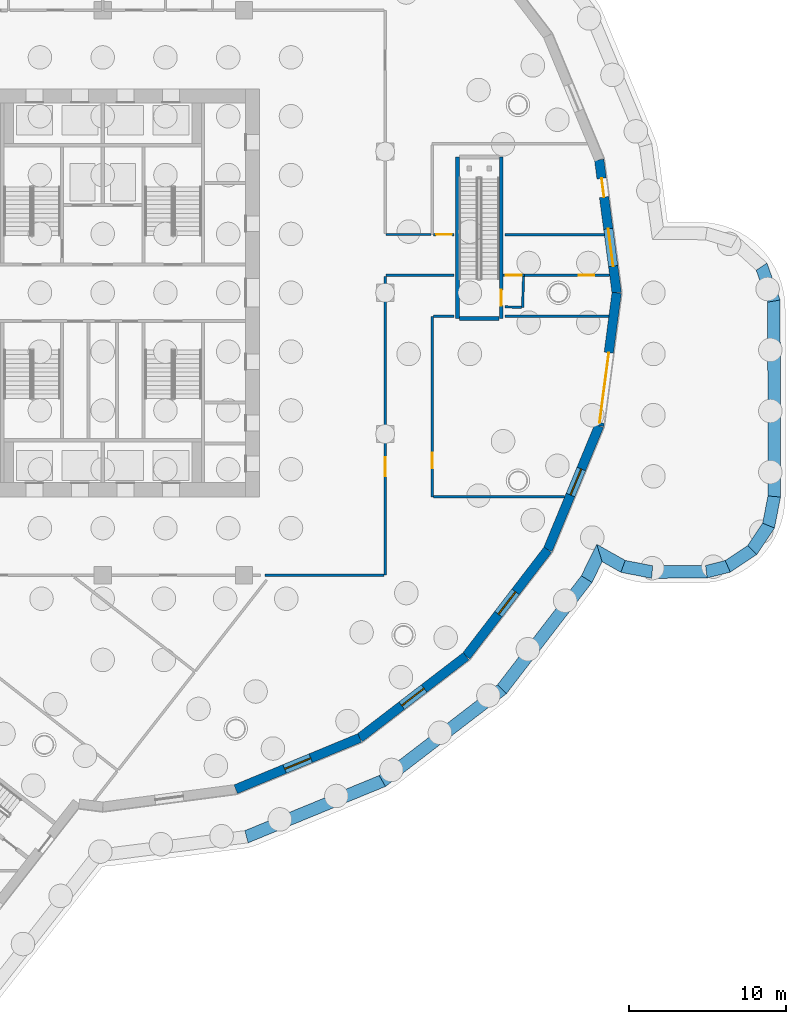
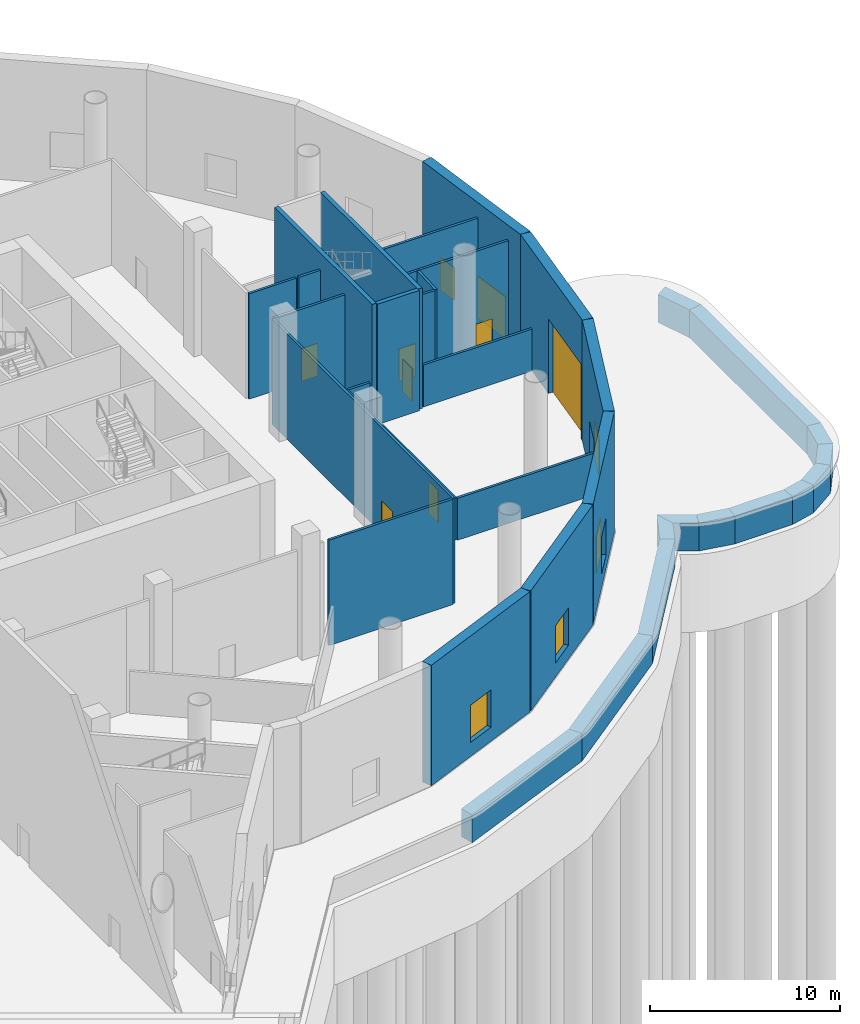
# One storey, part 14 of 34: 36 walls, 9 doors, 4 windows, 13 openings.
"""IFC4 building model written with IfcOpenShell, lengths in metres."""

from ifc_helpers import new_model, si_unit, direction, frame, frame_2d, origin, place, context, subcontext, project, spatial, polyline, rectangle, outline, extrude, material, layer, layer_set, type_object, element, fill, save


model = new_model("IFC4")

# Units and contexts
model_context = context("Model", 3, precision=1e-05, world=origin(), true_north=direction((0.0, 1.0)))
body_context = subcontext(model_context, "Body", "Model", "MODEL_VIEW")
ifc_project = project(units=[si_unit("LENGTHUNIT", "METRE"), si_unit("AREAUNIT", "SQUARE_METRE"), si_unit("VOLUMEUNIT", "CUBIC_METRE"), si_unit("PLANEANGLEUNIT", "RADIAN"), si_unit("MASSUNIT", "GRAM", prefix="KILO")], contexts=[model_context])

# Site, building, storey
site_placement = place(None, origin())
site = spatial("IfcSite", under=ifc_project, at=site_placement, CompositionType="ELEMENT")
building_placement = place(site_placement, origin())
building = spatial("IfcBuilding", under=site, at=building_placement, Name="Tarsis Ring Headquarters", CompositionType="ELEMENT")
storey_placement = place(building_placement, origin())
storey = spatial("IfcBuildingStorey", under=building, at=storey_placement, Name="L00", CompositionType="ELEMENT", Elevation=0.0)

# Walls
ifc_material_1 = material(Name="Concrete C40/50", Category="concrete")
ifc_layer_1 = layer(ifc_material_1, 0.800048828125)
ifc_layer_set_1 = layer_set([ifc_layer_1], Name="FD Plinth wall 800")
wall_type_1 = type_object("IfcWallType", Name="FD Plinth wall 800", PredefinedType="SOLIDWALL", material=ifc_layer_set_1)
wall_1_placement = place(storey_placement, frame((0.0, 0.0, -2.0)))
element("IfcWall", 1, at=wall_1_placement, inside=storey, type_object=wall_type_1, Name="Plinth wall 1", PredefinedType="SOLIDWALL", context=body_context, shape_type="SweptSolid", body=[
    extrude(outline(polyline([(38.52099609375, -18.17578125), (40.0009765625, -17.804931640625), (39.672119140625, -17.062744140625), (38.419677734375, -17.37646484375), (38.52099609375, -18.17578125)])), origin(), (0.0, 0.0, 1.0), 1.800048828125),
])
wall_2_placement = place(storey_placement, frame((0.0, 0.0, -2.0)))
element("IfcWall", 2, at=wall_2_placement, inside=storey, type_object=wall_type_1, Name="Plinth wall 2", PredefinedType="SOLIDWALL", context=body_context, shape_type="SweptSolid", body=[
    extrude(outline(polyline([(40.0009765625, -17.804931640625), (41.681884765625, -16.681884765625), (41.105224609375, -16.105224609375), (39.672119140625, -17.062744140625), (40.0009765625, -17.804931640625)])), origin(), (0.0, 0.0, 1.0), 1.800048828125),
])
wall_3_placement = place(storey_placement, frame((0.0, 0.0, -2.0)))
element("IfcWall", 3, at=wall_3_placement, inside=storey, type_object=wall_type_1, Name="Plinth wall 3", PredefinedType="SOLIDWALL", context=body_context, shape_type="SweptSolid", body=[
    extrude(outline(polyline([(41.681884765625, -16.681884765625), (42.810791015625, -14.992431640625), (42.056884765625, -14.6806640625), (41.105224609375, -16.105224609375), (41.681884765625, -16.681884765625)])), origin(), (0.0, 0.0, 1.0), 1.800048828125),
])
wall_4_placement = place(storey_placement, frame((0.0, 0.0, -2.0)))
element("IfcWall", 4, at=wall_4_placement, inside=storey, type_object=wall_type_1, Name="Plinth wall 4", PredefinedType="SOLIDWALL", context=body_context, shape_type="SweptSolid", body=[
    extrude(outline(polyline([(42.810791015625, -14.992431640625), (43.2001953125, -13.021484375), (42.39990234375, -12.944091796875), (42.056884765625, -14.6806640625), (42.810791015625, -14.992431640625)])), origin(), (0.0, 0.0, 1.0), 1.800048828125),
])
wall_5_placement = place(storey_placement, frame((0.0, 0.0, -2.0)))
element("IfcWall", 5, at=wall_5_placement, inside=storey, type_object=wall_type_1, Name="Plinth wall 5", PredefinedType="SOLIDWALL", context=body_context, shape_type="SweptSolid", body=[
    extrude(outline(polyline([(43.2001953125, -13.021484375), (43.176025390625, -0.459716796875), (42.376220703125, -0.599365234375), (42.39990234375, -12.944091796875), (43.2001953125, -13.021484375)])), origin(), (0.0, 0.0, 1.0), 1.800048828125),
])
wall_6_placement = place(storey_placement, frame((0.0, 0.0, -2.0)))
element("IfcWall", 6, at=wall_6_placement, inside=storey, type_object=wall_type_1, Name="Plinth wall 6", PredefinedType="SOLIDWALL", context=body_context, shape_type="SweptSolid", body=[
    extrude(outline(polyline([(43.176025390625, -0.459716796875), (42.333251953125, 1.895263671875), (41.6474609375, 1.437255859375), (42.376220703125, -0.599365234375), (43.176025390625, -0.459716796875)])), origin(), (0.0, 0.0, 1.0), 1.800048828125),
])
wall_7_placement = place(storey_placement, frame((0.0, 0.0, -2.0)))
element("IfcWall", 7, at=wall_7_placement, inside=storey, type_object=wall_type_1, Name="Plinth wall 37", PredefinedType="SOLIDWALL", context=body_context, shape_type="SweptSolid", body=[
    extrude(outline(polyline([(9.265380859375, -35.05712890625), (18.02392578125, -31.464111328125), (17.62158203125, -30.764404296875), (9.0595703125, -34.276611328125), (9.265380859375, -35.05712890625)])), origin(), (0.0, 0.0, 1.0), 1.800048828125),
])
wall_8_placement = place(storey_placement, frame((0.0, 0.0, -2.0)))
element("IfcWall", 8, at=wall_8_placement, inside=storey, type_object=wall_type_1, Name="Plinth wall 38", PredefinedType="SOLIDWALL", context=body_context, shape_type="SweptSolid", body=[
    extrude(outline(polyline([(18.02392578125, -31.464111328125), (25.726318359375, -25.553955078125), (25.156005859375, -24.98291015625), (17.62158203125, -30.764404296875), (18.02392578125, -31.464111328125)])), origin(), (0.0, 0.0, 1.0), 1.800048828125),
])
wall_9_placement = place(storey_placement, frame((0.0, 0.0, -2.0)))
element("IfcWall", 9, at=wall_9_placement, inside=storey, type_object=wall_type_1, Name="Plinth wall 39", PredefinedType="SOLIDWALL", context=body_context, shape_type="SweptSolid", body=[
    extrude(outline(polyline([(25.726318359375, -25.553955078125), (31.184814453125, -18.458984375), (30.501708984375, -18.03466796875), (25.156005859375, -24.98291015625), (25.726318359375, -25.553955078125)])), origin(), (0.0, 0.0, 1.0), 1.800048828125),
])
wall_10_placement = place(storey_placement, frame((0.0, 0.0, -2.0)))
element("IfcWall", 10, at=wall_10_placement, inside=storey, type_object=wall_type_1, Name="Plinth wall 40", PredefinedType="SOLIDWALL", context=body_context, shape_type="SweptSolid", body=[
    extrude(outline(polyline([(31.184814453125, -18.458984375), (31.830810546875, -17.141845703125), (31.485595703125, -16.029052734375), (30.501708984375, -18.03466796875), (31.184814453125, -18.458984375)])), origin(), (0.0, 0.0, 1.0), 1.800048828125),
])
wall_11_placement = place(storey_placement, frame((0.0, 0.0, -2.0)))
element("IfcWall", 11, at=wall_11_placement, inside=storey, type_object=wall_type_1, Name="Plinth wall 41", PredefinedType="SOLIDWALL", context=body_context, shape_type="SweptSolid", body=[
    extrude(outline(polyline([(31.830810546875, -17.141845703125), (33.02294921875, -17.813720703125), (33.303955078125, -17.053955078125), (31.485595703125, -16.029052734375), (31.830810546875, -17.141845703125)])), origin(), (0.0, 0.0, 1.0), 1.800048828125),
])
wall_12_placement = place(storey_placement, frame((0.0, 0.0, -2.0)))
element("IfcWall", 12, at=wall_12_placement, inside=storey, type_object=wall_type_1, Name="Plinth wall 42", PredefinedType="SOLIDWALL", context=body_context, shape_type="SweptSolid", body=[
    extrude(outline(polyline([(33.02294921875, -17.813720703125), (34.9794921875, -18.2001953125), (35.054931640625, -17.399658203125), (33.303955078125, -17.053955078125), (33.02294921875, -17.813720703125)])), origin(), (0.0, 0.0, 1.0), 1.800048828125),
])
wall_13_placement = place(storey_placement, frame((0.0, 0.0, -2.0)))
element("IfcWall", 13, at=wall_13_placement, inside=storey, type_object=wall_type_1, Name="Plinth wall 43", PredefinedType="SOLIDWALL", context=body_context, shape_type="SweptSolid", body=[
    extrude(outline(polyline([(34.9794921875, -18.2001953125), (38.52099609375, -18.17578125), (38.419677734375, -17.37646484375), (35.054931640625, -17.399658203125), (34.9794921875, -18.2001953125)])), origin(), (0.0, 0.0, 1.0), 1.800048828125),
])

# Wall, opening, door
ifc_material_2 = material(Name="Plasterboard partition")
ifc_layer_2 = layer(ifc_material_2, 0.14990234375)
ifc_layer_set_2 = layer_set([ifc_layer_2], Name="PO-PW150")
wall_type_2 = type_object("IfcWallType", Name="PO-PW150", PredefinedType="PARTITIONING", material=ifc_layer_set_2)
wall_14_placement = place(storey_placement, frame((21.0, -1.5, 0.0), z_axis=(0.0, 0.0, 1.0), x_axis=(0.0, -1.0, 0.0)))
wall_14 = element("IfcWall", 14, at=wall_14_placement, inside=storey, type_object=wall_type_2, Name="L00 partition wall 11", PredefinedType="PARTITIONING", context=body_context, shape_type="SweptSolid", body=[
    extrude(rectangle(XDim=11.5, YDim=0.14990234375, at=frame_2d((5.75, 0.0))), origin(), (0.0, 0.0, 1.0), 2.699951171875),
])
opening_1_placement = place(wall_14_placement, frame((8.695068359375, 0.0, 0.0)))
opening_1 = element("IfcOpeningElement", 15, at=opening_1_placement, cuts=wall_14, Name="Opening PO-D1A", PredefinedType="OPENING", context=body_context, shape_type="SweptSolid", body=[
    extrude(rectangle(XDim=1.0, YDim=2.10009765625, at=frame_2d((0.5, 1.050048828125))), frame((0.0, 0.0849609375, 0.0), z_axis=(0.0, -1.0, 0.0), x_axis=(1.0, 0.0, 0.0)), (0.0, 0.0, 1.0), 0.169921875),
])
ifc_material_3 = material(Name="Timber door", Category="wood")
door_type_1 = type_object("IfcDoorType", Name="PO-D1000-UNRATED", OperationType="NOTDEFINED", PredefinedType="DOOR", material=ifc_material_3)
door_1_placement = place(opening_1_placement, origin())
door_1 = element("IfcDoor", 16, at=door_1_placement, inside=storey, type_object=door_type_1, Name="Loading dock door", OperationType="SINGLE_SWING_RIGHT", OverallHeight=2.10009765625, OverallWidth=1.0, PredefinedType="DOOR", context=body_context, shape_type="SweptSolid", body=[
    extrude(rectangle(XDim=1.0, YDim=2.10009765625, at=frame_2d((0.5, 1.050048828125))), frame((0.0, 0.02490234375, 0.0), z_axis=(0.0, -1.0, 0.0), x_axis=(1.0, 0.0, 0.0)), (0.0, 0.0, 1.0), 0.050048828125),
])
fill(opening_1, door_1)

# Walls
wall_15_placement = place(storey_placement, frame((21.080078125, -13.0, 0.0), z_axis=(0.0, 0.0, 1.0), x_axis=(1.0, 0.0, 0.0)))
element("IfcWall", 17, at=wall_15_placement, inside=storey, type_object=wall_type_2, Name="L00 partition wall 30", PredefinedType="PARTITIONING", context=body_context, shape_type="SweptSolid", body=[
    extrude(rectangle(XDim=8.364013671875, YDim=0.14990234375, at=frame_2d((4.18212890625, 0.0))), origin(), (0.0, 0.0, 1.0), 2.699951171875),
])
wall_16_placement = place(storey_placement, frame((32.2578125, -1.5, 0.0), z_axis=(0.0, 0.0, 1.0), x_axis=(-1.0, 0.0, 0.0)))
element("IfcWall", 18, at=wall_16_placement, inside=storey, type_object=wall_type_2, Name="L00 partition wall 48", PredefinedType="PARTITIONING", context=body_context, shape_type="SweptSolid", body=[
    extrude(rectangle(XDim=6.6328125, YDim=0.14990234375, at=frame_2d((3.31640625, 0.0))), origin(), (0.0, 0.0, 1.0), 2.699951171875),
])
wall_17_placement = place(storey_placement, frame((22.375, -1.5, 0.0), z_axis=(0.0, 0.0, 1.0), x_axis=(-1.0, 0.0, 0.0)))
element("IfcWall", 19, at=wall_17_placement, inside=storey, type_object=wall_type_2, Name="L00 partition wall 94", PredefinedType="PARTITIONING", context=body_context, shape_type="SweptSolid", body=[
    extrude(rectangle(XDim=1.294921875, YDim=0.14990234375, at=frame_2d((0.6474609375, 0.0))), origin(), (0.0, 0.0, 1.0), 2.699951171875),
])

# Wall, opening, door
ifc_layer_3 = layer(ifc_material_2, 0.14990234375)
ifc_layer_set_3 = layer_set([ifc_layer_3], Name="PO-PW150R-6783")
wall_type_3 = type_object("IfcWallType", Name="PO-PW150R-6783", PredefinedType="PARTITIONING", material=ifc_layer_set_3)
wall_18_placement = place(storey_placement, frame((18.0, 1.050048828125, 0.0), z_axis=(0.0, 0.0, 1.0), x_axis=(0.0, -1.0, 0.0)))
wall_18 = element("IfcWall", 20, at=wall_18_placement, inside=storey, type_object=wall_type_3, Name="L00 partition wall 1", PredefinedType="PARTITIONING", context=body_context, shape_type="SweptSolid", body=[
    extrude(rectangle(XDim=19.050048828125, YDim=0.14990234375, at=frame_2d((9.52490234375, 0.0))), origin(), (0.0, 0.0, 1.0), 6.782958984375),
])
opening_2_placement = place(wall_18_placement, frame((11.534912109375, 0.0, 0.0)))
opening_2 = element("IfcOpeningElement", 21, at=opening_2_placement, cuts=wall_18, Name="Opening PO-D2", PredefinedType="OPENING", context=body_context, shape_type="SweptSolid", body=[
    extrude(rectangle(XDim=1.199951171875, YDim=2.10009765625, at=frame_2d((0.60009765625, 1.050048828125))), frame((0.0, 0.0849609375, 0.0), z_axis=(0.0, -1.0, 0.0), x_axis=(1.0, 0.0, 0.0)), (0.0, 0.0, 1.0), 0.169921875),
])
door_type_2 = type_object("IfcDoorType", Name="PO-D1200", OperationType="NOTDEFINED", PredefinedType="DOOR", material=ifc_material_3)
door_2_placement = place(opening_2_placement, origin())
door_2 = element("IfcDoor", 22, at=door_2_placement, inside=storey, type_object=door_type_2, Name="Pharmacy kiosk door", OperationType="SINGLE_SWING_RIGHT", OverallHeight=2.10009765625, OverallWidth=1.199951171875, PredefinedType="DOOR", context=body_context, shape_type="SweptSolid", body=[
    extrude(rectangle(XDim=1.199951171875, YDim=2.10009765625, at=frame_2d((0.60009765625, 1.050048828125))), frame((0.0, 0.02490234375, 0.0), z_axis=(0.0, -1.0, 0.0), x_axis=(1.0, 0.0, 0.0)), (0.0, 0.0, 1.0), 0.050048828125),
])
fill(opening_2, door_2)

# Walls
wall_19_placement = place(storey_placement, frame((17.919921875, -18.0, 0.0), z_axis=(0.0, 0.0, 1.0), x_axis=(-1.0, 0.0, 0.0)))
element("IfcWall", 23, at=wall_19_placement, inside=storey, type_object=wall_type_3, Name="L00 partition wall 41", PredefinedType="PARTITIONING", context=body_context, shape_type="SweptSolid", body=[
    extrude(rectangle(XDim=7.5634765625, YDim=0.14990234375, at=frame_2d((3.78173828125, 0.0))), origin(), (0.0, 0.0, 1.0), 6.782958984375),
])
wall_20_placement = place(storey_placement, frame((25.625, 3.7099609375, 0.0), z_axis=(0.0, 0.0, 1.0), x_axis=(1.0, 0.0, 0.0)))
element("IfcWall", 24, at=wall_20_placement, inside=storey, type_object=wall_type_3, Name="L00 partition wall 51", PredefinedType="PARTITIONING", context=body_context, shape_type="SweptSolid", body=[
    extrude(rectangle(XDim=6.341796875, YDim=0.14990234375, at=frame_2d((3.1708984375, 0.0))), origin(), (0.0, 0.0, 1.0), 6.782958984375),
])

# Wall, opening, door
wall_21_placement = place(storey_placement, frame((32.30908203125, 1.110107421875, 0.0), z_axis=(0.0, 0.0, 1.0), x_axis=(-1.0, 0.0, 0.0)))
wall_21 = element("IfcWall", 25, at=wall_21_placement, inside=storey, type_object=wall_type_3, Name="L00 partition wall 62", PredefinedType="PARTITIONING", context=body_context, shape_type="SweptSolid", body=[
    extrude(rectangle(XDim=5.442626953125, YDim=0.14990234375, at=frame_2d((2.72119140625, 0.0))), origin(), (0.0, 0.0, 1.0), 6.782958984375),
])
opening_3_placement = place(wall_21_placement, frame((0.970458984375, 0.0, 0.0)))
opening_3 = element("IfcOpeningElement", 26, at=opening_3_placement, cuts=wall_21, Name="Opening PO-D1", PredefinedType="OPENING", context=body_context, shape_type="SweptSolid", body=[
    extrude(rectangle(XDim=1.0, YDim=2.10009765625, at=frame_2d((0.5, 1.050048828125))), frame((0.0, 0.0849609375, 0.0), z_axis=(0.0, -1.0, 0.0), x_axis=(1.0, 0.0, 0.0)), (0.0, 0.0, 1.0), 0.169921875),
])
door_type_3 = type_object("IfcDoorType", Name="PO-D1000", OperationType="NOTDEFINED", PredefinedType="DOOR", material=ifc_material_3)
door_3_placement = place(opening_3_placement, origin())
door_3 = element("IfcDoor", 27, at=door_3_placement, inside=storey, type_object=door_type_3, Name="Refuse store door", OperationType="SINGLE_SWING_RIGHT", OverallHeight=2.10009765625, OverallWidth=1.0, PredefinedType="DOOR", context=body_context, shape_type="SweptSolid", body=[
    extrude(rectangle(XDim=1.0, YDim=2.10009765625, at=frame_2d((0.5, 1.050048828125))), frame((0.0, 0.02490234375, 0.0), z_axis=(0.0, -1.0, 0.0), x_axis=(1.0, 0.0, 0.0)), (0.0, 0.0, 1.0), 0.050048828125),
])
fill(opening_3, door_3)

# Walls
wall_22_placement = place(storey_placement, frame((22.375, 1.110107421875, 0.0), z_axis=(0.0, 0.0, 1.0), x_axis=(-1.0, 0.0, 0.0)))
element("IfcWall", 28, at=wall_22_placement, inside=storey, type_object=wall_type_3, Name="L00 partition wall 68", PredefinedType="PARTITIONING", context=body_context, shape_type="SweptSolid", body=[
    extrude(rectangle(XDim=4.3349609375, YDim=0.14990234375, at=frame_2d((2.16748046875, 0.0))), origin(), (0.0, 0.0, 1.0), 6.782958984375),
])
wall_23_placement = place(storey_placement, frame((18.0400390625, 3.7119140625, 0.0), z_axis=(0.0, 0.0, 1.0), x_axis=(1.0, 0.0, 0.0)))
element("IfcWall", 29, at=wall_23_placement, inside=storey, type_object=wall_type_3, Name="L00 partition wall 79", PredefinedType="PARTITIONING", context=body_context, shape_type="SweptSolid", body=[
    extrude(rectangle(XDim=2.8779296875, YDim=0.14990234375, at=frame_2d((1.43896484375, 0.0))), origin(), (0.0, 0.0, 1.0), 6.782958984375),
])
wall_24_placement = place(storey_placement, frame((26.824462890625, 1.070068359375, 0.0), z_axis=(0.0, 0.0, 1.0), x_axis=(-0.032904986071, -0.999458484326, 0.0)))
element("IfcWall", 30, at=wall_24_placement, inside=storey, type_object=wall_type_3, Name="L00 partition wall 88", PredefinedType="PARTITIONING", context=body_context, shape_type="SweptSolid", body=[
    extrude(rectangle(XDim=2.003173828125, YDim=0.14990234375, at=frame_2d((1.00146484375, 0.0))), origin(), (0.0, 0.0, 1.0), 6.782958984375),
])

# Wall, opening, door
wall_25_placement = place(storey_placement, frame((21.080078125, 3.7099609375, 0.0), z_axis=(0.0, 0.0, 1.0), x_axis=(1.0, 0.0, 0.0)))
wall_25 = element("IfcWall", 31, at=wall_25_placement, inside=storey, type_object=wall_type_3, Name="L00 partition wall 95", PredefinedType="PARTITIONING", context=body_context, shape_type="SweptSolid", body=[
    extrude(rectangle(XDim=1.294921875, YDim=0.14990234375, at=frame_2d((0.6474609375, 0.0))), origin(), (0.0, 0.0, 1.0), 6.782958984375),
])
opening_4_placement = place(wall_25_placement, frame((0.169921875, 0.0, 0.0)))
opening_4 = element("IfcOpeningElement", 32, at=opening_4_placement, cuts=wall_25, Name="Opening PO-D1", PredefinedType="OPENING", context=body_context, shape_type="SweptSolid", body=[
    extrude(rectangle(XDim=1.0, YDim=2.10009765625, at=frame_2d((0.5, 1.050048828125))), frame((0.0, 0.0849609375, 0.0), z_axis=(0.0, -1.0, 0.0), x_axis=(1.0, 0.0, 0.0)), (0.0, 0.0, 1.0), 0.169921875),
])
door_4_placement = place(opening_4_placement, origin())
door_4 = element("IfcDoor", 33, at=door_4_placement, inside=storey, type_object=door_type_3, Name="Refuse store door", OperationType="SINGLE_SWING_RIGHT", OverallHeight=2.10009765625, OverallWidth=1.0, PredefinedType="DOOR", context=body_context, shape_type="SweptSolid", body=[
    extrude(rectangle(XDim=1.0, YDim=2.10009765625, at=frame_2d((0.5, 1.050048828125))), frame((0.0, 0.02490234375, 0.0), z_axis=(0.0, -1.0, 0.0), x_axis=(1.0, 0.0, 0.0)), (0.0, 0.0, 1.0), 0.050048828125),
])
fill(opening_4, door_4)

# Wall
wall_26_placement = place(storey_placement, frame((26.6787109375, -0.929443359375, 0.0), z_axis=(0.0, 0.0, 1.0), x_axis=(-0.99945920656, 0.03288304155, 0.0)))
element("IfcWall", 34, at=wall_26_placement, inside=storey, type_object=wall_type_3, Name="L00 partition wall 97", PredefinedType="PARTITIONING", context=body_context, shape_type="SweptSolid", body=[
    extrude(rectangle(XDim=1.05419921875, YDim=0.14990234375, at=frame_2d((0.527099609375, 0.0))), origin(), (0.0, 0.0, 1.0), 6.782958984375),
])

# Wall, opening, door
wall_27_placement = place(storey_placement, frame((25.52490234375, 1.110107421875, 0.0), z_axis=(0.0, 0.0, 1.0), x_axis=(1.0, 0.0, 0.0)))
wall_27 = element("IfcWall", 35, at=wall_27_placement, inside=storey, type_object=wall_type_3, Name="L00 partition wall 107", PredefinedType="PARTITIONING", context=body_context, shape_type="SweptSolid", body=[
    extrude(rectangle(XDim=1.341064453125, YDim=0.14990234375, at=frame_2d((0.67041015625, 0.0))), origin(), (0.0, 0.0, 1.0), 6.782958984375),
])
opening_5_placement = place(wall_27_placement, frame((0.17041015625, 0.0, 0.0)))
opening_5 = element("IfcOpeningElement", 36, at=opening_5_placement, cuts=wall_27, Name="Opening PO-D3A", PredefinedType="OPENING", context=body_context, shape_type="SweptSolid", body=[
    extrude(rectangle(XDim=1.0, YDim=2.10009765625, at=frame_2d((0.5, 1.050048828125))), frame((0.0, 0.0849609375, 0.0), z_axis=(0.0, -1.0, 0.0), x_axis=(1.0, 0.0, 0.0)), (0.0, 0.0, 1.0), 0.169921875),
])
ifc_material_4 = material(Name="Steel fire door", Category="steel")
door_type_4 = type_object("IfcDoorType", Name="PO-D1000F-FD60", OperationType="NOTDEFINED", PredefinedType="DOOR", material=ifc_material_4)
door_5_placement = place(opening_5_placement, origin())
door_5 = element("IfcDoor", 37, at=door_5_placement, inside=storey, type_object=door_type_4, Name="Stair lobby door", OperationType="SINGLE_SWING_LEFT", OverallHeight=2.10009765625, OverallWidth=1.0, PredefinedType="DOOR", context=body_context, shape_type="SweptSolid", body=[
    extrude(rectangle(XDim=1.0, YDim=2.10009765625, at=frame_2d((0.5, 1.050048828125))), frame((0.0, 0.02490234375, 0.0), z_axis=(0.0, -1.0, 0.0), x_axis=(1.0, 0.0, 0.0)), (0.0, 0.0, 1.0), 0.050048828125),
])
fill(opening_5, door_5)

# Wall
ifc_layer_4 = layer(ifc_material_1, 0.25)
ifc_layer_set_4 = layer_set([ifc_layer_4], Name="PO-W250")
wall_type_4 = type_object("IfcWallType", Name="PO-W250", PredefinedType="SOLIDWALL", material=ifc_layer_set_4)
wall_28_placement = place(storey_placement, frame((22.60009765625, -1.64501953125, 0.0), z_axis=(0.0, 0.0, 1.0), x_axis=(0.0, 1.0, 0.0)))
element("IfcWall", 38, at=wall_28_placement, inside=storey, type_object=wall_type_4, Name="L00 shaft wall 21", PredefinedType="SOLIDWALL", context=body_context, shape_type="SweptSolid", body=[
    extrude(rectangle(XDim=10.2900390625, YDim=0.25, at=frame_2d((5.14501953125, 0.0))), origin(), (0.0, 0.0, 1.0), 7.75),
])

# Wall, opening, door
wall_29_placement = place(storey_placement, frame((25.39990234375, 8.64501953125, 0.0), z_axis=(0.0, 0.0, 1.0), x_axis=(0.0, -1.0, 0.0)))
wall_29 = element("IfcWall", 39, at=wall_29_placement, inside=storey, type_object=wall_type_4, Name="L00 shaft wall 22", PredefinedType="SOLIDWALL", context=body_context, shape_type="SweptSolid", body=[
    extrude(rectangle(XDim=10.2900390625, YDim=0.25, at=frame_2d((5.14501953125, 0.0))), origin(), (0.0, 0.0, 1.0), 7.75),
])
opening_6_placement = place(wall_29_placement, frame((8.465087890625, 0.0, 0.0)))
opening_6 = element("IfcOpeningElement", 40, at=opening_6_placement, cuts=wall_29, Name="Opening PO-D3", PredefinedType="OPENING", context=body_context, shape_type="SweptSolid", body=[
    extrude(rectangle(XDim=1.0, YDim=2.10009765625, at=frame_2d((0.5, 1.050048828125))), frame((0.0, 0.135009765625, 0.0), z_axis=(0.0, -1.0, 0.0), x_axis=(1.0, 0.0, 0.0)), (0.0, 0.0, 1.0), 0.27001953125),
])
door_type_5 = type_object("IfcDoorType", Name="PO-D1000F", OperationType="SINGLE_SWING_LEFT", PredefinedType="DOOR", material=ifc_material_4)
door_6_placement = place(opening_6_placement, origin())
door_6 = element("IfcDoor", 41, at=door_6_placement, inside=storey, type_object=door_type_5, Name="Exit stair 1 door", OperationType="SINGLE_SWING_LEFT", OverallHeight=2.10009765625, OverallWidth=1.0, PredefinedType="DOOR", context=body_context, shape_type="SweptSolid", body=[
    extrude(rectangle(XDim=1.0, YDim=2.10009765625, at=frame_2d((0.5, 1.050048828125))), frame((0.0, 0.02490234375, 0.0), z_axis=(0.0, -1.0, 0.0), x_axis=(1.0, 0.0, 0.0)), (0.0, 0.0, 1.0), 0.050048828125),
])
fill(opening_6, door_6)

# Wall
wall_30_placement = place(storey_placement, frame((25.27001953125, -1.64501953125, 0.0), z_axis=(0.0, 0.0, 1.0), x_axis=(-1.0, 0.0, 0.0)))
element("IfcWall", 42, at=wall_30_placement, inside=storey, type_object=wall_type_4, Name="L00 shaft wall 80", PredefinedType="SOLIDWALL", context=body_context, shape_type="SweptSolid", body=[
    extrude(rectangle(XDim=2.5400390625, YDim=0.25, at=frame_2d((1.27001953125, 0.0))), origin(), (0.0, 0.0, 1.0), 7.75),
])

# Wall, opening, window
ifc_material_5 = material(Name="Concrete C60/75", Category="concrete")
ifc_layer_5 = layer(ifc_material_5, 0.60009765625)
ifc_layer_set_5 = layer_set([ifc_layer_5], Name="PO-W600")
wall_type_5 = type_object("IfcWallType", Name="PO-W600", PredefinedType="SOLIDWALL", material=ifc_layer_set_5)
wall_31_placement = place(storey_placement, frame((8.478271484375, -31.6416015625, 0.0), z_axis=(0.0, 0.0, 1.0), x_axis=(0.923883217595, 0.382674535665, 0.0)))
wall_31 = element("IfcWall", 43, at=wall_31_placement, inside=storey, type_object=wall_type_5, Name="L00 external wall 11", PredefinedType="SOLIDWALL", context=body_context, shape_type="SweptSolid", body=[
    extrude(rectangle(XDim=8.551513671875, YDim=0.60009765625, at=frame_2d((4.27587890625, 0.0))), origin(), (0.0, 0.0, 1.0), 7.75),
])
opening_7_placement = place(wall_31_placement, frame((3.375732421875, 0.0, 0.89990234375)))
opening_7 = element("IfcOpeningElement", 44, at=opening_7_placement, cuts=wall_31, Name="Opening PO-WN1", PredefinedType="OPENING", context=body_context, shape_type="SweptSolid", body=[
    extrude(rectangle(XDim=1.800048828125, YDim=2.39990234375, at=frame_2d((0.89990234375, 1.199951171875))), frame((0.0, 0.31005859375, 0.0), z_axis=(0.0, -1.0, 0.0), x_axis=(1.0, 0.0, 0.0)), (0.0, 0.0, 1.0), 0.6201171875),
])
ifc_material_6 = material(Name="Double glazing", Category="glass")
window_type = type_object("IfcWindowType", Name="PO-WN1800", PartitioningType="SINGLE_PANEL", PredefinedType="WINDOW", material=ifc_material_6)
window_1_placement = place(opening_7_placement, origin())
window_1 = element("IfcWindow", 45, at=window_1_placement, inside=storey, type_object=window_type, Name="L00 window 11.1", OverallHeight=2.39990234375, OverallWidth=1.800048828125, PartitioningType="SINGLE_PANEL", PredefinedType="WINDOW", context=body_context, shape_type="SweptSolid", body=[
    extrude(rectangle(XDim=1.800048828125, YDim=2.39990234375, at=frame_2d((0.89990234375, 1.199951171875))), frame((0.0, 0.030029296875, 0.0), z_axis=(0.0, -1.0, 0.0), x_axis=(1.0, 0.0, 0.0)), (0.0, 0.0, 1.0), 0.06005859375),
])
fill(opening_7, window_1)

wall_32_placement = place(storey_placement, frame((16.37890625, -28.369140625, 0.0), z_axis=(0.0, 0.0, 1.0), x_axis=(0.793356782778, 0.608756942646, 0.0)))
wall_32 = element("IfcWall", 46, at=wall_32_placement, inside=storey, type_object=wall_type_5, Name="L00 external wall 12", PredefinedType="SOLIDWALL", context=body_context, shape_type="SweptSolid", body=[
    extrude(rectangle(XDim=8.551513671875, YDim=0.60009765625, at=frame_2d((4.27587890625, 0.0))), origin(), (0.0, 0.0, 1.0), 7.75),
])
opening_8_placement = place(wall_32_placement, frame((3.375732421875, 0.0, 0.89990234375)))
opening_8 = element("IfcOpeningElement", 47, at=opening_8_placement, cuts=wall_32, Name="Opening PO-WN1", PredefinedType="OPENING", context=body_context, shape_type="SweptSolid", body=[
    extrude(rectangle(XDim=1.800048828125, YDim=2.39990234375, at=frame_2d((0.89990234375, 1.199951171875))), frame((0.0, 0.31005859375, 0.0), z_axis=(0.0, -1.0, 0.0), x_axis=(1.0, 0.0, 0.0)), (0.0, 0.0, 1.0), 0.6201171875),
])
window_2_placement = place(opening_8_placement, origin())
window_2 = element("IfcWindow", 48, at=window_2_placement, inside=storey, type_object=window_type, Name="L00 window 12.1", OverallHeight=2.39990234375, OverallWidth=1.800048828125, PartitioningType="SINGLE_PANEL", PredefinedType="WINDOW", context=body_context, shape_type="SweptSolid", body=[
    extrude(rectangle(XDim=1.800048828125, YDim=2.39990234375, at=frame_2d((0.89990234375, 1.199951171875))), frame((0.0, 0.030029296875, 0.0), z_axis=(0.0, -1.0, 0.0), x_axis=(1.0, 0.0, 0.0)), (0.0, 0.0, 1.0), 0.06005859375),
])
fill(opening_8, window_2)

wall_33_placement = place(storey_placement, frame((23.163330078125, -23.163330078125, 0.0), z_axis=(0.0, 0.0, 1.0), x_axis=(0.608756942646, 0.793356782778, 0.0)))
wall_33 = element("IfcWall", 49, at=wall_33_placement, inside=storey, type_object=wall_type_5, Name="L00 external wall 13", PredefinedType="SOLIDWALL", context=body_context, shape_type="SweptSolid", body=[
    extrude(rectangle(XDim=8.551513671875, YDim=0.60009765625, at=frame_2d((4.27587890625, 0.0))), origin(), (0.0, 0.0, 1.0), 7.75),
])
opening_9_placement = place(wall_33_placement, frame((3.375732421875, 0.0, 0.89990234375)))
opening_9 = element("IfcOpeningElement", 50, at=opening_9_placement, cuts=wall_33, Name="Opening PO-WN1", PredefinedType="OPENING", context=body_context, shape_type="SweptSolid", body=[
    extrude(rectangle(XDim=1.800048828125, YDim=2.39990234375, at=frame_2d((0.89990234375, 1.199951171875))), frame((0.0, 0.31005859375, 0.0), z_axis=(0.0, -1.0, 0.0), x_axis=(1.0, 0.0, 0.0)), (0.0, 0.0, 1.0), 0.6201171875),
])
window_3_placement = place(opening_9_placement, origin())
window_3 = element("IfcWindow", 51, at=window_3_placement, inside=storey, type_object=window_type, Name="L00 window 13.1", OverallHeight=2.39990234375, OverallWidth=1.800048828125, PartitioningType="SINGLE_PANEL", PredefinedType="WINDOW", context=body_context, shape_type="SweptSolid", body=[
    extrude(rectangle(XDim=1.800048828125, YDim=2.39990234375, at=frame_2d((0.89990234375, 1.199951171875))), frame((0.0, 0.030029296875, 0.0), z_axis=(0.0, -1.0, 0.0), x_axis=(1.0, 0.0, 0.0)), (0.0, 0.0, 1.0), 0.06005859375),
])
fill(opening_9, window_3)

wall_34_placement = place(storey_placement, frame((28.369140625, -16.37890625, 0.0), z_axis=(0.0, 0.0, 1.0), x_axis=(0.382674535665, 0.923883217595, 0.0)))
wall_34 = element("IfcWall", 52, at=wall_34_placement, inside=storey, type_object=wall_type_5, Name="L00 external wall 14", PredefinedType="SOLIDWALL", context=body_context, shape_type="SweptSolid", body=[
    extrude(rectangle(XDim=8.551513671875, YDim=0.60009765625, at=frame_2d((4.27587890625, 0.0))), origin(), (0.0, 0.0, 1.0), 7.75),
])
opening_10_placement = place(wall_34_placement, frame((3.775634765625, 0.0, 0.89990234375)))
opening_10 = element("IfcOpeningElement", 53, at=opening_10_placement, cuts=wall_34, Name="Opening PO-WN1", PredefinedType="OPENING", context=body_context, shape_type="SweptSolid", body=[
    extrude(rectangle(XDim=1.800048828125, YDim=2.39990234375, at=frame_2d((0.89990234375, 1.199951171875))), frame((0.0, 0.31005859375, 0.0), z_axis=(0.0, -1.0, 0.0), x_axis=(1.0, 0.0, 0.0)), (0.0, 0.0, 1.0), 0.6201171875),
])
window_4_placement = place(opening_10_placement, origin())
window_4 = element("IfcWindow", 54, at=window_4_placement, inside=storey, type_object=window_type, Name="L00 window 14.1", OverallHeight=2.39990234375, OverallWidth=1.800048828125, PartitioningType="SINGLE_PANEL", PredefinedType="WINDOW", context=body_context, shape_type="SweptSolid", body=[
    extrude(rectangle(XDim=1.800048828125, YDim=2.39990234375, at=frame_2d((0.89990234375, 1.199951171875))), frame((0.0, 0.030029296875, 0.0), z_axis=(0.0, -1.0, 0.0), x_axis=(1.0, 0.0, 0.0)), (0.0, 0.0, 1.0), 0.06005859375),
])
fill(opening_10, window_4)

# Wall, opening, door
wall_35_placement = place(storey_placement, frame((31.6416015625, -8.478271484375, 0.0), z_axis=(0.0, 0.0, 1.0), x_axis=(0.130529102837, 0.991444478179, 0.0)))
wall_35 = element("IfcWall", 55, at=wall_35_placement, inside=storey, type_object=wall_type_5, Name="L00 external wall 15", PredefinedType="SOLIDWALL", context=body_context, shape_type="SweptSolid", body=[
    extrude(rectangle(XDim=8.551513671875, YDim=0.60009765625, at=frame_2d((4.27587890625, 0.0))), origin(), (0.0, 0.0, 1.0), 7.75),
])
opening_11_placement = place(wall_35_placement, frame((0.199951171875, 0.0, 0.0)))
opening_11 = element("IfcOpeningElement", 56, at=opening_11_placement, cuts=wall_35, Name="Opening PO-D5", PredefinedType="OPENING", context=body_context, shape_type="SweptSolid", body=[
    extrude(rectangle(XDim=4.5, YDim=4.800048828125, at=frame_2d((2.25, 2.39990234375))), frame((0.0, 0.31005859375, 0.0), z_axis=(0.0, -1.0, 0.0), x_axis=(1.0, 0.0, 0.0)), (0.0, 0.0, 1.0), 0.6201171875),
])
ifc_material_7 = material(Name="Steel roller door", Category="steel")
door_type_6 = type_object("IfcDoorType", Name="PO-D4500", OperationType="SLIDING_TO_LEFT", PredefinedType="GATE", material=ifc_material_7)
door_7_placement = place(opening_11_placement, origin())
door_7 = element("IfcDoor", 57, at=door_7_placement, inside=storey, type_object=door_type_6, Name="Loading dock vehicle door", OperationType="SINGLE_SWING_LEFT", OverallHeight=4.800048828125, OverallWidth=4.5, PredefinedType="GATE", context=body_context, shape_type="SweptSolid", body=[
    extrude(rectangle(XDim=4.5, YDim=4.800048828125, at=frame_2d((2.25, 2.39990234375))), frame((0.0, 0.02490234375, 0.0), z_axis=(0.0, -1.0, 0.0), x_axis=(1.0, 0.0, 0.0)), (0.0, 0.0, 1.0), 0.050048828125),
])
fill(opening_11, door_7)

# Wall, openings, doors
wall_36_placement = place(storey_placement, frame((31.6416015625, 8.478271484375, 0.0), z_axis=(0.0, 0.0, 1.0), x_axis=(0.130529102837, -0.991444478179, 0.0)))
wall_36 = element("IfcWall", 58, at=wall_36_placement, inside=storey, type_object=wall_type_5, Name="L00 external wall 16", PredefinedType="SOLIDWALL", context=body_context, shape_type="SweptSolid", body=[
    extrude(rectangle(XDim=8.551513671875, YDim=0.60009765625, at=frame_2d((4.27587890625, 0.0))), origin(), (0.0, 0.0, 1.0), 7.75),
])
opening_12_placement = place(wall_36_placement, frame((4.4375, 0.0, 0.0)))
opening_12 = element("IfcOpeningElement", 59, at=opening_12_placement, cuts=wall_36, Name="Opening PO-D4", PredefinedType="OPENING", context=body_context, shape_type="SweptSolid", body=[
    extrude(rectangle(XDim=2.39990234375, YDim=2.699951171875, at=frame_2d((1.199951171875, 1.35009765625))), frame((0.0, 0.31005859375, 0.0), z_axis=(0.0, -1.0, 0.0), x_axis=(1.0, 0.0, 0.0)), (0.0, 0.0, 1.0), 0.6201171875),
])
opening_13_placement = place(wall_36_placement, frame((1.19677734375, 0.0, 0.0)))
opening_13 = element("IfcOpeningElement", 60, at=opening_13_placement, cuts=wall_36, Name="Opening PO-D2B", PredefinedType="OPENING", context=body_context, shape_type="SweptSolid", body=[
    extrude(rectangle(XDim=1.199951171875, YDim=2.10009765625, at=frame_2d((0.60009765625, 1.050048828125))), frame((0.0, 0.31005859375, 0.0), z_axis=(0.0, -1.0, 0.0), x_axis=(1.0, 0.0, 0.0)), (0.0, 0.0, 1.0), 0.6201171875),
])
door_type_7 = type_object("IfcDoorType", Name="PO-D1200-UNRATED", OperationType="DOUBLE_DOOR_SINGLE_SWING", PredefinedType="DOOR", material=ifc_material_3)
door_8_placement = place(opening_13_placement, origin())
door_8 = element("IfcDoor", 61, at=door_8_placement, inside=storey, type_object=door_type_7, Name="Refuse store service door", OperationType="SINGLE_SWING_LEFT", OverallHeight=2.10009765625, OverallWidth=1.199951171875, PredefinedType="DOOR", context=body_context, shape_type="SweptSolid", body=[
    extrude(rectangle(XDim=1.199951171875, YDim=2.10009765625, at=frame_2d((0.60009765625, 1.050048828125))), frame((0.0, 0.02490234375, 0.0), z_axis=(0.0, -1.0, 0.0), x_axis=(1.0, 0.0, 0.0)), (0.0, 0.0, 1.0), 0.050048828125),
])
fill(opening_13, door_8)
ifc_material_8 = material(Name="Aluminium and glass door", Category="aluminium")
door_type_8 = type_object("IfcDoorType", Name="PO-D2400", OperationType="DOUBLE_DOOR_SINGLE_SWING", PredefinedType="DOOR", material=ifc_material_8)
door_9_placement = place(opening_12_placement, origin())
door_9 = element("IfcDoor", 62, at=door_9_placement, inside=storey, type_object=door_type_8, Name="Corridor exit door 1", OperationType="DOUBLE_DOOR_SINGLE_SWING", OverallHeight=2.699951171875, OverallWidth=2.39990234375, PredefinedType="DOOR", context=body_context, shape_type="SweptSolid", body=[
    extrude(rectangle(XDim=2.39990234375, YDim=2.699951171875, at=frame_2d((1.199951171875, 1.35009765625))), frame((0.0, 0.02490234375, 0.0), z_axis=(0.0, -1.0, 0.0), x_axis=(1.0, 0.0, 0.0)), (0.0, 0.0, 1.0), 0.050048828125),
])
fill(opening_12, door_9)

save(model, "model.ifc")
